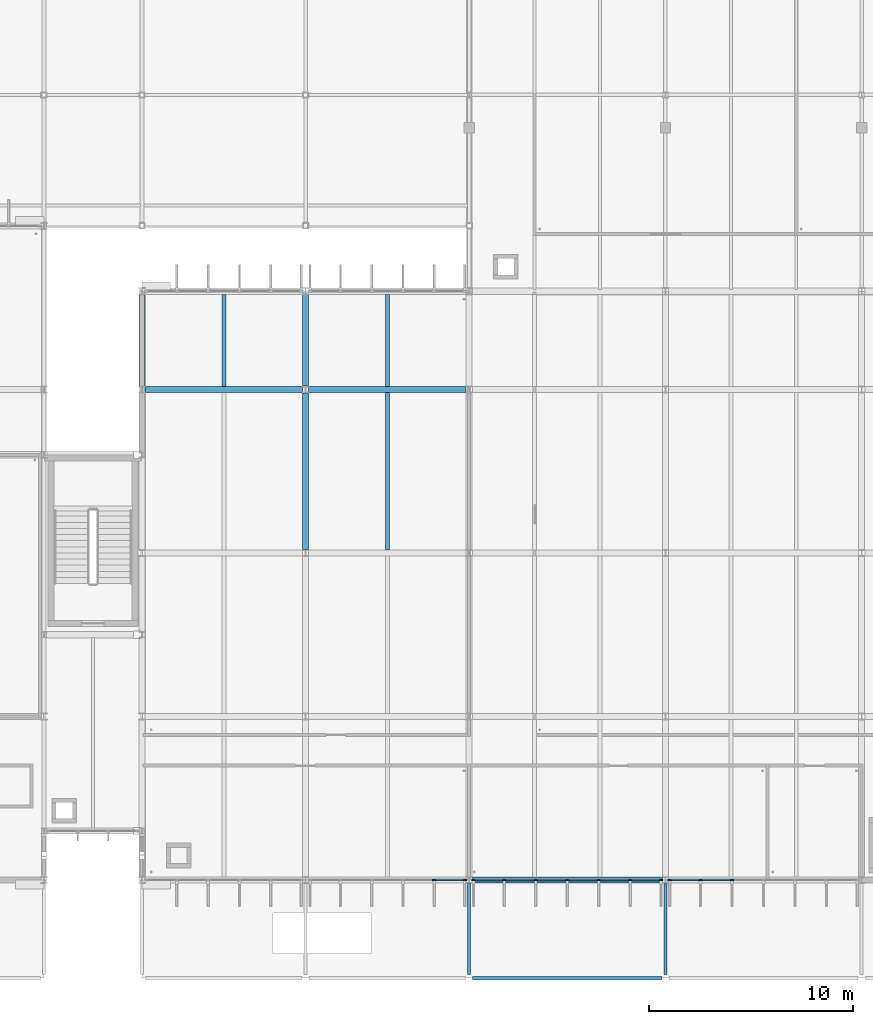
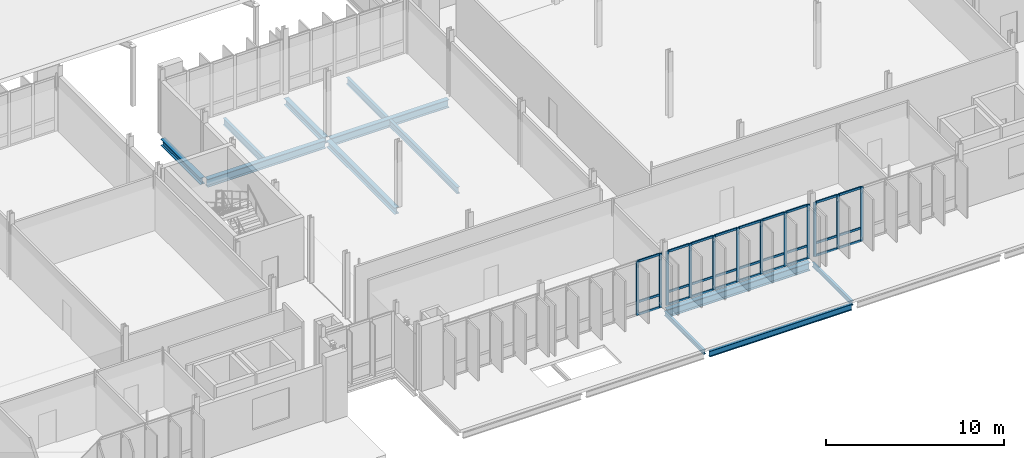
# One storey, part 28 of 107: 39 members, 12 beams, 3 elements without a shape of their own.
"""IFC4 building model written with IfcOpenShell, lengths in metres."""

from ifc_helpers import new_model, si_unit, direction, frame, origin, origin_2d, place, context, subcontext, project, spatial, rectangle, i_section, extrude, material, material_profile, profile_set, type_object, element, aggregate, save


model = new_model("IFC4")

# Units and contexts
model_context = context("Model", 3, precision=1e-05, world=origin(), true_north=direction((0.0, 1.0)))
body_context = subcontext(model_context, "Body", "Model", "MODEL_VIEW")
ifc_project = project(units=[si_unit("LENGTHUNIT", "METRE"), si_unit("AREAUNIT", "SQUARE_METRE"), si_unit("VOLUMEUNIT", "CUBIC_METRE"), si_unit("PLANEANGLEUNIT", "RADIAN"), si_unit("MASSUNIT", "GRAM", prefix="KILO")], contexts=[model_context])

# Site, building, storey
site_placement = place(None, origin())
site = spatial("IfcSite", under=ifc_project, at=site_placement, CompositionType="ELEMENT")
building_placement = place(site_placement, origin())
building = spatial("IfcBuilding", under=site, at=building_placement, Name="Dunescarp Central Library", CompositionType="ELEMENT")
storey_placement = place(building_placement, frame((0.0, 0.0, 5.10009765625)))
storey = spatial("IfcBuildingStorey", under=building, at=storey_placement, Name="L01", CompositionType="ELEMENT", Elevation=5.10009765625)

# Curtain wall, members
ifc_material_1 = material(Name="Marine-grade anodised aluminium 6063-T6", Category="aluminium")
curtain_wall_type = type_object("IfcCurtainWallType", Name="ARC-CW-STICK", PredefinedType="NOTDEFINED", material=ifc_material_1)
curtain_wall_1_placement = place(storey_placement, origin())
curtain_wall_1 = element("IfcCurtainWall", 1, at=curtain_wall_1_placement, inside=storey, type_object=curtain_wall_type, Name="L01 curtain wall CW-V3-085", PredefinedType="NOTDEFINED")
ifc_material_profile_1 = material_profile(ifc_material_1, rectangle(XDim=0.080078125, YDim=0.179931640625, at=origin_2d()), Name="AL 80x180")
ifc_profile_set_1 = profile_set([ifc_material_profile_1], Name="Marine-grade anodised aluminium 6063-T6")
member_type_1 = type_object("IfcMemberType", Name="ARC-CWM-180", PredefinedType="MULLION", material=ifc_profile_set_1)
member_1_placement = place(storey_placement, frame((97.385009765625, 4.800048828125, 0.0), z_axis=(0.0, 0.0, 1.0), x_axis=(0.0, -1.0, 0.0)))
member_1 = element("IfcMember", 2, at=member_1_placement, type_object=member_type_1, Name="CW-V3-085 mullion 1", PredefinedType="MULLION", context=body_context, shape_type="SweptSolid", body=[
    extrude(rectangle(XDim=0.080078125, YDim=0.179931640625, at=origin_2d()), origin(), (0.0, 0.0, 1.0), 3.71484375),
])
member_2_placement = place(storey_placement, frame((95.89501953125, 4.800048828125, 0.0), z_axis=(0.0, 0.0, 1.0), x_axis=(0.0, -1.0, 0.0)))
member_2 = element("IfcMember", 3, at=member_2_placement, type_object=member_type_1, Name="CW-V3-085 mullion 2", PredefinedType="MULLION", context=body_context, shape_type="SweptSolid", body=[
    extrude(rectangle(XDim=0.080078125, YDim=0.179931640625, at=origin_2d()), origin(), (0.0, 0.0, 1.0), 3.71484375),
])

curtain_wall_2_placement = place(storey_placement, origin())
curtain_wall_2 = element("IfcCurtainWall", 4, at=curtain_wall_2_placement, inside=storey, type_object=curtain_wall_type, Name="L01 curtain wall CW-V3-086", PredefinedType="NOTDEFINED")
member_3_placement = place(storey_placement, frame((106.985107421875, 4.800048828125, 0.0), z_axis=(0.0, 0.0, 1.0), x_axis=(0.0, -1.0, 0.0)))
member_3 = element("IfcMember", 5, at=member_3_placement, type_object=member_type_1, Name="CW-V3-086 mullion 1", PredefinedType="MULLION", context=body_context, shape_type="SweptSolid", body=[
    extrude(rectangle(XDim=0.080078125, YDim=0.179931640625, at=origin_2d()), origin(), (0.0, 0.0, 1.0), 3.71484375),
])
member_4_placement = place(storey_placement, frame((105.4833984375, 4.800048828125, 0.0), z_axis=(0.0, 0.0, 1.0), x_axis=(0.0, -1.0, 0.0)))
member_4 = element("IfcMember", 6, at=member_4_placement, type_object=member_type_1, Name="CW-V3-086 mullion 2", PredefinedType="MULLION", context=body_context, shape_type="SweptSolid", body=[
    extrude(rectangle(XDim=0.080078125, YDim=0.179931640625, at=origin_2d()), origin(), (0.0, 0.0, 1.0), 3.71484375),
])
member_5_placement = place(storey_placement, frame((103.941650390625, 4.800048828125, 0.0), z_axis=(0.0, 0.0, 1.0), x_axis=(0.0, -1.0, 0.0)))
member_5 = element("IfcMember", 7, at=member_5_placement, type_object=member_type_1, Name="CW-V3-086 mullion 3", PredefinedType="MULLION", context=body_context, shape_type="SweptSolid", body=[
    extrude(rectangle(XDim=0.080078125, YDim=0.179931640625, at=origin_2d()), origin(), (0.0, 0.0, 1.0), 3.71484375),
])
member_6_placement = place(storey_placement, frame((102.39990234375, 4.800048828125, 0.0), z_axis=(0.0, 0.0, 1.0), x_axis=(0.0, -1.0, 0.0)))
member_6 = element("IfcMember", 8, at=member_6_placement, type_object=member_type_1, Name="CW-V3-086 mullion 4", PredefinedType="MULLION", context=body_context, shape_type="SweptSolid", body=[
    extrude(rectangle(XDim=0.080078125, YDim=0.179931640625, at=origin_2d()), origin(), (0.0, 0.0, 1.0), 3.71484375),
])
member_7_placement = place(storey_placement, frame((100.8583984375, 4.800048828125, 0.0), z_axis=(0.0, 0.0, 1.0), x_axis=(0.0, -1.0, 0.0)))
member_7 = element("IfcMember", 9, at=member_7_placement, type_object=member_type_1, Name="CW-V3-086 mullion 5", PredefinedType="MULLION", context=body_context, shape_type="SweptSolid", body=[
    extrude(rectangle(XDim=0.080078125, YDim=0.179931640625, at=origin_2d()), origin(), (0.0, 0.0, 1.0), 3.71484375),
])
member_8_placement = place(storey_placement, frame((99.316650390625, 4.800048828125, 0.0), z_axis=(0.0, 0.0, 1.0), x_axis=(0.0, -1.0, 0.0)))
member_8 = element("IfcMember", 10, at=member_8_placement, type_object=member_type_1, Name="CW-V3-086 mullion 6", PredefinedType="MULLION", context=body_context, shape_type="SweptSolid", body=[
    extrude(rectangle(XDim=0.080078125, YDim=0.179931640625, at=origin_2d()), origin(), (0.0, 0.0, 1.0), 3.71484375),
])
member_9_placement = place(storey_placement, frame((97.81494140625, 4.800048828125, 0.0), z_axis=(0.0, 0.0, 1.0), x_axis=(0.0, -1.0, 0.0)))
member_9 = element("IfcMember", 11, at=member_9_placement, type_object=member_type_1, Name="CW-V3-086 mullion 7", PredefinedType="MULLION", context=body_context, shape_type="SweptSolid", body=[
    extrude(rectangle(XDim=0.080078125, YDim=0.179931640625, at=origin_2d()), origin(), (0.0, 0.0, 1.0), 3.71484375),
])

curtain_wall_3_placement = place(storey_placement, origin())
curtain_wall_3 = element("IfcCurtainWall", 12, at=curtain_wall_3_placement, inside=storey, type_object=curtain_wall_type, Name="L01 curtain wall CW-V3-087", PredefinedType="NOTDEFINED")
member_10_placement = place(storey_placement, frame((110.458251953125, 4.800048828125, 0.0), z_axis=(0.0, 0.0, 1.0), x_axis=(0.0, -1.0, 0.0)))
member_10 = element("IfcMember", 13, at=member_10_placement, type_object=member_type_1, Name="CW-V3-087 mullion 5", PredefinedType="MULLION", context=body_context, shape_type="SweptSolid", body=[
    extrude(rectangle(XDim=0.080078125, YDim=0.179931640625, at=origin_2d()), origin(), (0.0, 0.0, 1.0), 3.71484375),
])
member_11_placement = place(storey_placement, frame((108.916748046875, 4.800048828125, 0.0), z_axis=(0.0, 0.0, 1.0), x_axis=(0.0, -1.0, 0.0)))
member_11 = element("IfcMember", 14, at=member_11_placement, type_object=member_type_1, Name="CW-V3-087 mullion 6", PredefinedType="MULLION", context=body_context, shape_type="SweptSolid", body=[
    extrude(rectangle(XDim=0.080078125, YDim=0.179931640625, at=origin_2d()), origin(), (0.0, 0.0, 1.0), 3.71484375),
])
member_12_placement = place(storey_placement, frame((107.4150390625, 4.800048828125, 0.0), z_axis=(0.0, 0.0, 1.0), x_axis=(0.0, -1.0, 0.0)))
member_12 = element("IfcMember", 15, at=member_12_placement, type_object=member_type_1, Name="CW-V3-087 mullion 7", PredefinedType="MULLION", context=body_context, shape_type="SweptSolid", body=[
    extrude(rectangle(XDim=0.080078125, YDim=0.179931640625, at=origin_2d()), origin(), (0.0, 0.0, 1.0), 3.71484375),
])

# Member
ifc_material_profile_2 = material_profile(ifc_material_1, rectangle(XDim=0.080078125, YDim=0.14990234375, at=origin_2d()), Name="AL 80x150")
ifc_profile_set_2 = profile_set([ifc_material_profile_2], Name="Marine-grade anodised aluminium 6063-T6")
member_type_2 = type_object("IfcMemberType", Name="ARC-CWT-150", PredefinedType="USERDEFINED", material=ifc_profile_set_2)
member_13_placement = place(storey_placement, frame((97.344970703125, 4.800048828125, 0.039794921875), z_axis=(-1.0, 0.0, 0.0), x_axis=(0.0, -1.0, 0.0)))
member_13 = element("IfcMember", 16, at=member_13_placement, type_object=member_type_2, Name="CW-V3-085 transom 1.1", ObjectType="TRANSOM", PredefinedType="USERDEFINED", context=body_context, shape_type="SweptSolid", body=[
    extrude(rectangle(XDim=0.080078125, YDim=0.14990234375, at=origin_2d()), origin(), (0.0, 0.0, 1.0), 1.409912109375),
])

member_14_placement = place(storey_placement, frame((97.344970703125, 4.800048828125, 0.89990234375), z_axis=(-1.0, 0.0, 0.0), x_axis=(0.0, -1.0, 0.0)))
member_14 = element("IfcMember", 17, at=member_14_placement, type_object=member_type_2, Name="CW-V3-085 transom 1.2", ObjectType="TRANSOM", PredefinedType="USERDEFINED", context=body_context, shape_type="SweptSolid", body=[
    extrude(rectangle(XDim=0.080078125, YDim=0.14990234375, at=origin_2d()), origin(), (0.0, 0.0, 1.0), 1.409912109375),
])

member_15_placement = place(storey_placement, frame((97.344970703125, 4.800048828125, 3.6748046875), z_axis=(-1.0, 0.0, 0.0), x_axis=(0.0, -1.0, 0.0)))
member_15 = element("IfcMember", 18, at=member_15_placement, type_object=member_type_2, Name="CW-V3-085 transom 1.3", ObjectType="TRANSOM", PredefinedType="USERDEFINED", context=body_context, shape_type="SweptSolid", body=[
    extrude(rectangle(XDim=0.080078125, YDim=0.14990234375, at=origin_2d()), origin(), (0.0, 0.0, 1.0), 1.409912109375),
])

aggregate(curtain_wall_1, [member_1, member_2, member_13, member_14, member_15])

member_16_placement = place(storey_placement, frame((106.945068359375, 4.800048828125, 0.039794921875), z_axis=(-1.0, 0.0, 0.0), x_axis=(0.0, -1.0, 0.0)))
member_16 = element("IfcMember", 19, at=member_16_placement, type_object=member_type_2, Name="CW-V3-086 transom 1.1", ObjectType="TRANSOM", PredefinedType="USERDEFINED", context=body_context, shape_type="SweptSolid", body=[
    extrude(rectangle(XDim=0.080078125, YDim=0.14990234375, at=origin_2d()), origin(), (0.0, 0.0, 1.0), 1.421630859375),
])

member_17_placement = place(storey_placement, frame((106.945068359375, 4.800048828125, 0.89990234375), z_axis=(-1.0, 0.0, 0.0), x_axis=(0.0, -1.0, 0.0)))
member_17 = element("IfcMember", 20, at=member_17_placement, type_object=member_type_2, Name="CW-V3-086 transom 1.2", ObjectType="TRANSOM", PredefinedType="USERDEFINED", context=body_context, shape_type="SweptSolid", body=[
    extrude(rectangle(XDim=0.080078125, YDim=0.14990234375, at=origin_2d()), origin(), (0.0, 0.0, 1.0), 1.421630859375),
])

member_18_placement = place(storey_placement, frame((106.945068359375, 4.800048828125, 3.6748046875), z_axis=(-1.0, 0.0, 0.0), x_axis=(0.0, -1.0, 0.0)))
member_18 = element("IfcMember", 21, at=member_18_placement, type_object=member_type_2, Name="CW-V3-086 transom 1.3", ObjectType="TRANSOM", PredefinedType="USERDEFINED", context=body_context, shape_type="SweptSolid", body=[
    extrude(rectangle(XDim=0.080078125, YDim=0.14990234375, at=origin_2d()), origin(), (0.0, 0.0, 1.0), 1.421630859375),
])

member_19_placement = place(storey_placement, frame((105.443359375, 4.800048828125, 0.039794921875), z_axis=(-1.0, 0.0, 0.0), x_axis=(0.0, -1.0, 0.0)))
member_19 = element("IfcMember", 22, at=member_19_placement, type_object=member_type_2, Name="CW-V3-086 transom 2.1", ObjectType="TRANSOM", PredefinedType="USERDEFINED", context=body_context, shape_type="SweptSolid", body=[
    extrude(rectangle(XDim=0.080078125, YDim=0.14990234375, at=origin_2d()), origin(), (0.0, 0.0, 1.0), 1.461669921875),
])

member_20_placement = place(storey_placement, frame((105.443359375, 4.800048828125, 0.89990234375), z_axis=(-1.0, 0.0, 0.0), x_axis=(0.0, -1.0, 0.0)))
member_20 = element("IfcMember", 23, at=member_20_placement, type_object=member_type_2, Name="CW-V3-086 transom 2.2", ObjectType="TRANSOM", PredefinedType="USERDEFINED", context=body_context, shape_type="SweptSolid", body=[
    extrude(rectangle(XDim=0.080078125, YDim=0.14990234375, at=origin_2d()), origin(), (0.0, 0.0, 1.0), 1.461669921875),
])

member_21_placement = place(storey_placement, frame((105.443359375, 4.800048828125, 3.6748046875), z_axis=(-1.0, 0.0, 0.0), x_axis=(0.0, -1.0, 0.0)))
member_21 = element("IfcMember", 24, at=member_21_placement, type_object=member_type_2, Name="CW-V3-086 transom 2.3", ObjectType="TRANSOM", PredefinedType="USERDEFINED", context=body_context, shape_type="SweptSolid", body=[
    extrude(rectangle(XDim=0.080078125, YDim=0.14990234375, at=origin_2d()), origin(), (0.0, 0.0, 1.0), 1.461669921875),
])

member_22_placement = place(storey_placement, frame((103.901611328125, 4.800048828125, 0.039794921875), z_axis=(-1.0, 0.0, 0.0), x_axis=(0.0, -1.0, 0.0)))
member_22 = element("IfcMember", 25, at=member_22_placement, type_object=member_type_2, Name="CW-V3-086 transom 3.1", ObjectType="TRANSOM", PredefinedType="USERDEFINED", context=body_context, shape_type="SweptSolid", body=[
    extrude(rectangle(XDim=0.080078125, YDim=0.14990234375, at=origin_2d()), origin(), (0.0, 0.0, 1.0), 1.461669921875),
])

member_23_placement = place(storey_placement, frame((103.901611328125, 4.800048828125, 0.89990234375), z_axis=(-1.0, 0.0, 0.0), x_axis=(0.0, -1.0, 0.0)))
member_23 = element("IfcMember", 26, at=member_23_placement, type_object=member_type_2, Name="CW-V3-086 transom 3.2", ObjectType="TRANSOM", PredefinedType="USERDEFINED", context=body_context, shape_type="SweptSolid", body=[
    extrude(rectangle(XDim=0.080078125, YDim=0.14990234375, at=origin_2d()), origin(), (0.0, 0.0, 1.0), 1.461669921875),
])

member_24_placement = place(storey_placement, frame((103.901611328125, 4.800048828125, 3.6748046875), z_axis=(-1.0, 0.0, 0.0), x_axis=(0.0, -1.0, 0.0)))
member_24 = element("IfcMember", 27, at=member_24_placement, type_object=member_type_2, Name="CW-V3-086 transom 3.3", ObjectType="TRANSOM", PredefinedType="USERDEFINED", context=body_context, shape_type="SweptSolid", body=[
    extrude(rectangle(XDim=0.080078125, YDim=0.14990234375, at=origin_2d()), origin(), (0.0, 0.0, 1.0), 1.461669921875),
])

member_25_placement = place(storey_placement, frame((102.360107421875, 4.800048828125, 0.039794921875), z_axis=(-1.0, 0.0, 0.0), x_axis=(0.0, -1.0, 0.0)))
member_25 = element("IfcMember", 28, at=member_25_placement, type_object=member_type_2, Name="CW-V3-086 transom 4.1", ObjectType="TRANSOM", PredefinedType="USERDEFINED", context=body_context, shape_type="SweptSolid", body=[
    extrude(rectangle(XDim=0.080078125, YDim=0.14990234375, at=origin_2d()), origin(), (0.0, 0.0, 1.0), 1.461669921875),
])

member_26_placement = place(storey_placement, frame((102.360107421875, 4.800048828125, 0.89990234375), z_axis=(-1.0, 0.0, 0.0), x_axis=(0.0, -1.0, 0.0)))
member_26 = element("IfcMember", 29, at=member_26_placement, type_object=member_type_2, Name="CW-V3-086 transom 4.2", ObjectType="TRANSOM", PredefinedType="USERDEFINED", context=body_context, shape_type="SweptSolid", body=[
    extrude(rectangle(XDim=0.080078125, YDim=0.14990234375, at=origin_2d()), origin(), (0.0, 0.0, 1.0), 1.461669921875),
])

member_27_placement = place(storey_placement, frame((102.360107421875, 4.800048828125, 3.6748046875), z_axis=(-1.0, 0.0, 0.0), x_axis=(0.0, -1.0, 0.0)))
member_27 = element("IfcMember", 30, at=member_27_placement, type_object=member_type_2, Name="CW-V3-086 transom 4.3", ObjectType="TRANSOM", PredefinedType="USERDEFINED", context=body_context, shape_type="SweptSolid", body=[
    extrude(rectangle(XDim=0.080078125, YDim=0.14990234375, at=origin_2d()), origin(), (0.0, 0.0, 1.0), 1.461669921875),
])

member_28_placement = place(storey_placement, frame((100.818359375, 4.800048828125, 0.039794921875), z_axis=(-1.0, 0.0, 0.0), x_axis=(0.0, -1.0, 0.0)))
member_28 = element("IfcMember", 31, at=member_28_placement, type_object=member_type_2, Name="CW-V3-086 transom 5.1", ObjectType="TRANSOM", PredefinedType="USERDEFINED", context=body_context, shape_type="SweptSolid", body=[
    extrude(rectangle(XDim=0.080078125, YDim=0.14990234375, at=origin_2d()), origin(), (0.0, 0.0, 1.0), 1.461669921875),
])

member_29_placement = place(storey_placement, frame((100.818359375, 4.800048828125, 0.89990234375), z_axis=(-1.0, 0.0, 0.0), x_axis=(0.0, -1.0, 0.0)))
member_29 = element("IfcMember", 32, at=member_29_placement, type_object=member_type_2, Name="CW-V3-086 transom 5.2", ObjectType="TRANSOM", PredefinedType="USERDEFINED", context=body_context, shape_type="SweptSolid", body=[
    extrude(rectangle(XDim=0.080078125, YDim=0.14990234375, at=origin_2d()), origin(), (0.0, 0.0, 1.0), 1.461669921875),
])

member_30_placement = place(storey_placement, frame((100.818359375, 4.800048828125, 3.6748046875), z_axis=(-1.0, 0.0, 0.0), x_axis=(0.0, -1.0, 0.0)))
member_30 = element("IfcMember", 33, at=member_30_placement, type_object=member_type_2, Name="CW-V3-086 transom 5.3", ObjectType="TRANSOM", PredefinedType="USERDEFINED", context=body_context, shape_type="SweptSolid", body=[
    extrude(rectangle(XDim=0.080078125, YDim=0.14990234375, at=origin_2d()), origin(), (0.0, 0.0, 1.0), 1.461669921875),
])

member_31_placement = place(storey_placement, frame((99.276611328125, 4.800048828125, 0.039794921875), z_axis=(-1.0, 0.0, 0.0), x_axis=(0.0, -1.0, 0.0)))
member_31 = element("IfcMember", 34, at=member_31_placement, type_object=member_type_2, Name="CW-V3-086 transom 6.1", ObjectType="TRANSOM", PredefinedType="USERDEFINED", context=body_context, shape_type="SweptSolid", body=[
    extrude(rectangle(XDim=0.080078125, YDim=0.14990234375, at=origin_2d()), origin(), (0.0, 0.0, 1.0), 1.421630859375),
])

member_32_placement = place(storey_placement, frame((99.276611328125, 4.800048828125, 0.89990234375), z_axis=(-1.0, 0.0, 0.0), x_axis=(0.0, -1.0, 0.0)))
member_32 = element("IfcMember", 35, at=member_32_placement, type_object=member_type_2, Name="CW-V3-086 transom 6.2", ObjectType="TRANSOM", PredefinedType="USERDEFINED", context=body_context, shape_type="SweptSolid", body=[
    extrude(rectangle(XDim=0.080078125, YDim=0.14990234375, at=origin_2d()), origin(), (0.0, 0.0, 1.0), 1.421630859375),
])

member_33_placement = place(storey_placement, frame((99.276611328125, 4.800048828125, 3.6748046875), z_axis=(-1.0, 0.0, 0.0), x_axis=(0.0, -1.0, 0.0)))
member_33 = element("IfcMember", 36, at=member_33_placement, type_object=member_type_2, Name="CW-V3-086 transom 6.3", ObjectType="TRANSOM", PredefinedType="USERDEFINED", context=body_context, shape_type="SweptSolid", body=[
    extrude(rectangle(XDim=0.080078125, YDim=0.14990234375, at=origin_2d()), origin(), (0.0, 0.0, 1.0), 1.421630859375),
])

aggregate(curtain_wall_2, [member_3, member_4, member_5, member_6, member_7, member_8, member_9, member_16, member_17, member_18, member_19, member_20, member_21, member_22, member_23, member_24, member_25, member_26, member_27, member_28, member_29, member_30, member_31, member_32, member_33])

member_34_placement = place(storey_placement, frame((110.418212890625, 4.800048828125, 0.039794921875), z_axis=(-1.0, 0.0, 0.0), x_axis=(0.0, -1.0, 0.0)))
member_34 = element("IfcMember", 37, at=member_34_placement, type_object=member_type_2, Name="CW-V3-087 transom 5.1", ObjectType="TRANSOM", PredefinedType="USERDEFINED", context=body_context, shape_type="SweptSolid", body=[
    extrude(rectangle(XDim=0.080078125, YDim=0.14990234375, at=origin_2d()), origin(), (0.0, 0.0, 1.0), 1.46142578125),
])

member_35_placement = place(storey_placement, frame((110.418212890625, 4.800048828125, 0.89990234375), z_axis=(-1.0, 0.0, 0.0), x_axis=(0.0, -1.0, 0.0)))
member_35 = element("IfcMember", 38, at=member_35_placement, type_object=member_type_2, Name="CW-V3-087 transom 5.2", ObjectType="TRANSOM", PredefinedType="USERDEFINED", context=body_context, shape_type="SweptSolid", body=[
    extrude(rectangle(XDim=0.080078125, YDim=0.14990234375, at=origin_2d()), origin(), (0.0, 0.0, 1.0), 1.46142578125),
])

member_36_placement = place(storey_placement, frame((110.418212890625, 4.800048828125, 3.6748046875), z_axis=(-1.0, 0.0, 0.0), x_axis=(0.0, -1.0, 0.0)))
member_36 = element("IfcMember", 39, at=member_36_placement, type_object=member_type_2, Name="CW-V3-087 transom 5.3", ObjectType="TRANSOM", PredefinedType="USERDEFINED", context=body_context, shape_type="SweptSolid", body=[
    extrude(rectangle(XDim=0.080078125, YDim=0.14990234375, at=origin_2d()), origin(), (0.0, 0.0, 1.0), 1.46142578125),
])

member_37_placement = place(storey_placement, frame((108.876708984375, 4.800048828125, 0.039794921875), z_axis=(-1.0, 0.0, 0.0), x_axis=(0.0, -1.0, 0.0)))
member_37 = element("IfcMember", 40, at=member_37_placement, type_object=member_type_2, Name="CW-V3-087 transom 6.1", ObjectType="TRANSOM", PredefinedType="USERDEFINED", context=body_context, shape_type="SweptSolid", body=[
    extrude(rectangle(XDim=0.080078125, YDim=0.14990234375, at=origin_2d()), origin(), (0.0, 0.0, 1.0), 1.421630859375),
])

member_38_placement = place(storey_placement, frame((108.876708984375, 4.800048828125, 0.89990234375), z_axis=(-1.0, 0.0, 0.0), x_axis=(0.0, -1.0, 0.0)))
member_38 = element("IfcMember", 41, at=member_38_placement, type_object=member_type_2, Name="CW-V3-087 transom 6.2", ObjectType="TRANSOM", PredefinedType="USERDEFINED", context=body_context, shape_type="SweptSolid", body=[
    extrude(rectangle(XDim=0.080078125, YDim=0.14990234375, at=origin_2d()), origin(), (0.0, 0.0, 1.0), 1.421630859375),
])

member_39_placement = place(storey_placement, frame((108.876708984375, 4.800048828125, 3.6748046875), z_axis=(-1.0, 0.0, 0.0), x_axis=(0.0, -1.0, 0.0)))
member_39 = element("IfcMember", 42, at=member_39_placement, type_object=member_type_2, Name="CW-V3-087 transom 6.3", ObjectType="TRANSOM", PredefinedType="USERDEFINED", context=body_context, shape_type="SweptSolid", body=[
    extrude(rectangle(XDim=0.080078125, YDim=0.14990234375, at=origin_2d()), origin(), (0.0, 0.0, 1.0), 1.421630859375),
])

aggregate(curtain_wall_3, [member_10, member_11, member_12, member_34, member_35, member_36, member_37, member_38, member_39])

# Beams
ifc_material_2 = material(Name="Steel S355JR", Category="steel")
ifc_material_profile_3 = material_profile(ifc_material_2, i_section(OverallWidth=0.300048828125, OverallDepth=0.449951171875, WebThickness=0.013916015625, FlangeThickness=0.02587890625, at=origin_2d()), Name="HEB 450")
ifc_profile_set_3 = profile_set([ifc_material_profile_3], Name="Steel S355JR")
beam_type_1 = type_object("IfcBeamType", Name="STR-BM-HEB450", PredefinedType="BEAM", material=ifc_profile_set_3)
beam_1_placement = place(storey_placement, frame((89.60009765625, 20.967041015625, -0.445068359375), z_axis=(0.0, 1.0, 0.0), x_axis=(-1.0, 0.0, 0.0)))
element("IfcBeam", 43, at=beam_1_placement, inside=storey, type_object=beam_type_1, Name="L01 girder BM-L01-0666", PredefinedType="BEAM", context=body_context, shape_type="SweptSolid", body=[
    extrude(i_section(OverallWidth=0.300048828125, OverallDepth=0.449951171875, WebThickness=0.013916015625, FlangeThickness=0.02587890625, at=origin_2d()), origin(), (0.0, 0.0, 1.0), 7.666015625),
])
for number, where, z_axis, x_axis, name in (
    (44, (81.60009765625, 28.967041015625, -0.445068359375), (0.0, 1.0, 0.0), (-1.0, 0.0, 0.0), "L01 girder BM-L01-0669"),
    (45, (89.60009765625, 28.967041015625, -0.445068359375), (0.0, 1.0, 0.0), (-1.0, 0.0, 0.0), "L01 girder BM-L01-0670"),
):
    element("IfcBeam", number, at=place(storey_placement, frame(where, z_axis=z_axis, x_axis=x_axis)), inside=storey, type_object=beam_type_1, Name=name, PredefinedType="BEAM", context=body_context, shape_type="SweptSolid", body=[
        extrude(i_section(OverallWidth=0.300048828125, OverallDepth=0.449951171875, WebThickness=0.013916015625, FlangeThickness=0.02587890625, at=origin_2d()), origin(), (0.0, 0.0, 1.0), 4.466064453125),
    ])
ifc_material_profile_4 = material_profile(ifc_material_2, i_section(OverallWidth=0.300048828125, OverallDepth=0.550048828125, WebThickness=0.014892578125, FlangeThickness=0.029052734375, at=origin_2d()), Name="HEB 550")
ifc_profile_set_4 = profile_set([ifc_material_profile_4], Name="Steel S355JR")
beam_type_2 = type_object("IfcBeamType", Name="STR-BM-HEB550", PredefinedType="BEAM", material=ifc_profile_set_4)
for number, where, z_axis, x_axis, name in (
    (46, (81.75390625, 28.800048828125, -0.4951171875), (1.0, 0.0, 0.0), (0.0, 1.0, 0.0), "L01 girder BM-L01-0664"),
    (47, (89.75390625, 28.800048828125, -0.4951171875), (1.0, 0.0, 0.0), (0.0, 1.0, 0.0), "L01 girder BM-L01-0679"),
):
    element("IfcBeam", number, at=place(storey_placement, frame(where, z_axis=z_axis, x_axis=x_axis)), inside=storey, type_object=beam_type_2, Name=name, PredefinedType="BEAM", context=body_context, shape_type="SweptSolid", body=[
        extrude(i_section(OverallWidth=0.300048828125, OverallDepth=0.550048828125, WebThickness=0.014892578125, FlangeThickness=0.029052734375, at=origin_2d()), origin(), (0.0, 0.0, 1.0), 7.692138671875),
    ])
beam_2_placement = place(storey_placement, frame((97.75390625, 4.800048828125, -0.4951171875), z_axis=(1.0, 0.0, 0.0), x_axis=(0.0, 1.0, 0.0)))
element("IfcBeam", 48, at=beam_2_placement, inside=storey, type_object=beam_type_2, Name="L01 girder BM-L01-0685", PredefinedType="BEAM", context=body_context, shape_type="SweptSolid", body=[
    extrude(i_section(OverallWidth=0.300048828125, OverallDepth=0.550048828125, WebThickness=0.014892578125, FlangeThickness=0.029052734375, at=origin_2d()), origin(), (0.0, 0.0, 1.0), 9.2919921875),
])
ifc_material_profile_5 = material_profile(ifc_material_2, i_section(OverallWidth=0.14990234375, OverallDepth=0.300048828125, WebThickness=0.007080078125, FlangeThickness=0.0107421875, at=origin_2d()), Name="IPE 300")
ifc_profile_set_5 = profile_set([ifc_material_profile_5], Name="Steel S355JR")
beam_type_3 = type_object("IfcBeamType", Name="STR-JS-IPE300", PredefinedType="JOIST", material=ifc_profile_set_5)
for number, where, z_axis, x_axis, name in (
    (49, (97.60009765625, 0.175048828125, -0.35009765625), (0.0, 1.0, 0.0), (-1.0, 0.0, 0.0), "Colonnade tie beam BM-L01-1461"),
    (50, (107.199951171875, 0.175048828125, -0.35009765625), (0.0, 1.0, 0.0), (-1.0, 0.0, 0.0), "Colonnade tie beam BM-L01-1462"),
):
    element("IfcBeam", number, at=place(storey_placement, frame(where, z_axis=z_axis, x_axis=x_axis)), inside=storey, type_object=beam_type_3, Name=name, PredefinedType="JOIST", context=body_context, shape_type="SweptSolid", body=[
        extrude(i_section(OverallWidth=0.14990234375, OverallDepth=0.300048828125, WebThickness=0.007080078125, FlangeThickness=0.0107421875, at=origin_2d()), origin(), (0.0, 0.0, 1.0), 4.4580078125),
    ])
ifc_material_profile_6 = material_profile(ifc_material_2, i_section(OverallWidth=0.18994140625, OverallDepth=0.449951171875, WebThickness=0.009521484375, FlangeThickness=0.0146484375, at=origin_2d()), Name="IPE 450")
ifc_profile_set_6 = profile_set([ifc_material_profile_6], Name="Steel S355JR")
beam_type_4 = type_object("IfcBeamType", Name="STR-JS-IPE450", PredefinedType="JOIST", material=ifc_profile_set_6)
beam_3_placement = place(storey_placement, frame((85.60009765625, 28.947998046875, -0.445068359375), z_axis=(0.0, 1.0, 0.0), x_axis=(-1.0, 0.0, 0.0)))
element("IfcBeam", 51, at=beam_3_placement, inside=storey, type_object=beam_type_4, Name="L01 joist JS-L01-0671", PredefinedType="JOIST", context=body_context, shape_type="SweptSolid", body=[
    extrude(i_section(OverallWidth=0.18994140625, OverallDepth=0.449951171875, WebThickness=0.009521484375, FlangeThickness=0.0146484375, at=origin_2d()), origin(), (0.0, 0.0, 1.0), 4.50390625),
])
beam_4_placement = place(storey_placement, frame((93.60009765625, 20.947998046875, -0.445068359375), z_axis=(0.0, 1.0, 0.0), x_axis=(-1.0, 0.0, 0.0)))
element("IfcBeam", 52, at=beam_4_placement, inside=storey, type_object=beam_type_4, Name="L01 joist JS-L01-0681", PredefinedType="JOIST", context=body_context, shape_type="SweptSolid", body=[
    extrude(i_section(OverallWidth=0.18994140625, OverallDepth=0.449951171875, WebThickness=0.009521484375, FlangeThickness=0.0146484375, at=origin_2d()), origin(), (0.0, 0.0, 1.0), 7.7041015625),
])
beam_5_placement = place(storey_placement, frame((93.60009765625, 28.947998046875, -0.445068359375), z_axis=(0.0, 1.0, 0.0), x_axis=(-1.0, 0.0, 0.0)))
element("IfcBeam", 53, at=beam_5_placement, inside=storey, type_object=beam_type_4, Name="L01 joist JS-L01-0684", PredefinedType="JOIST", context=body_context, shape_type="SweptSolid", body=[
    extrude(i_section(OverallWidth=0.18994140625, OverallDepth=0.449951171875, WebThickness=0.009521484375, FlangeThickness=0.0146484375, at=origin_2d()), origin(), (0.0, 0.0, 1.0), 4.50390625),
])
ifc_material_profile_7 = material_profile(ifc_material_2, i_section(OverallWidth=0.177978515625, OverallDepth=0.406494140625, WebThickness=0.0078125, FlangeThickness=0.0126953125, at=origin_2d()), Name="UB 406x178x60")
ifc_profile_set_7 = profile_set([ifc_material_profile_7], Name="Steel S355JR")
beam_type_5 = type_object("IfcBeamType", Name="STR-SP-UB406", PredefinedType="SPANDREL", material=ifc_profile_set_7)
beam_6_placement = place(storey_placement, frame((97.77490234375, 0.0, -0.403076171875), z_axis=(1.0, 0.0, 0.0), x_axis=(0.0, 1.0, 0.0)))
element("IfcBeam", 54, at=beam_6_placement, inside=storey, type_object=beam_type_5, Name="Colonnade spandrel SP-L01-1456", PredefinedType="SPANDREL", context=body_context, shape_type="SweptSolid", body=[
    extrude(i_section(OverallWidth=0.177978515625, OverallDepth=0.406494140625, WebThickness=0.0078125, FlangeThickness=0.0126953125, at=origin_2d()), origin(), (0.0, 0.0, 1.0), 9.25),
])

save(model, "model.ifc")
